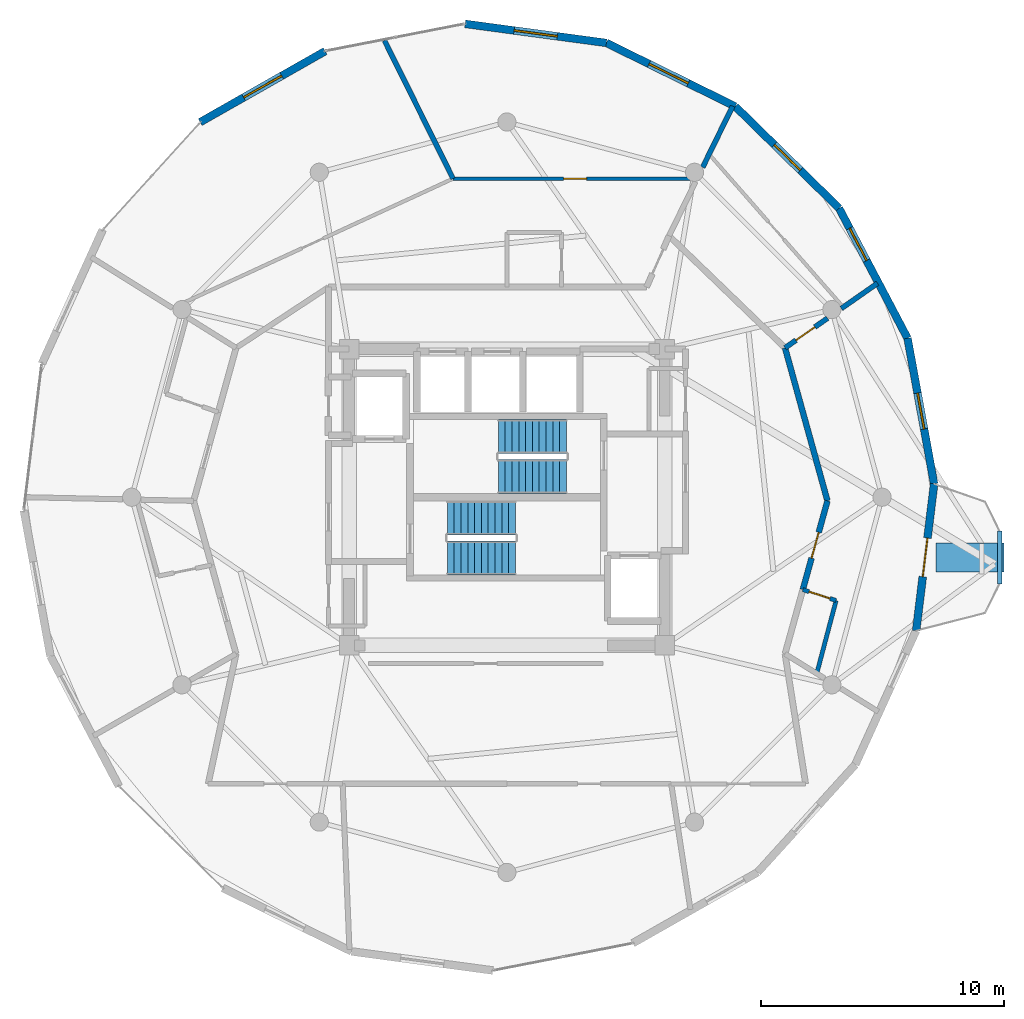
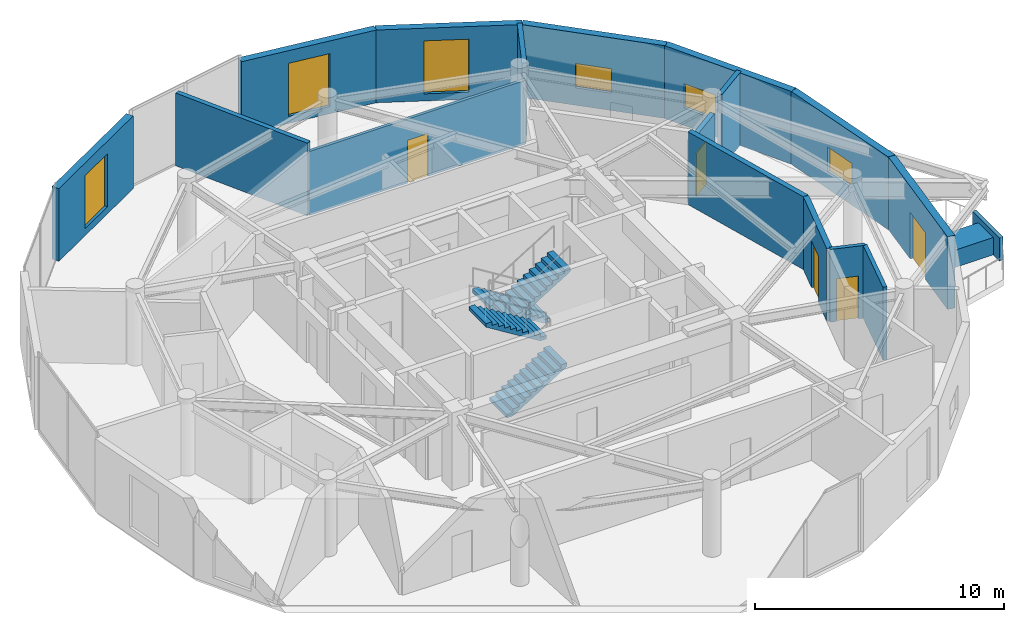
# One storey, part 16 of 18: 17 walls, 6 windows, 5 doors, 4 stair flights, 1 discrete accessory, 11 openings, 2 elements without a shape of their own.
"""IFC4 building model written with IfcOpenShell, lengths in metres."""

from ifc_helpers import new_model, si_unit, direction, frame, frame_2d, origin, origin_2d, place, context, subcontext, project, spatial, polyline, rectangle, outline, extrude, material, layer, layer_set, type_object, element, fill, aggregate, save


model = new_model("IFC4")

# Units and contexts
model_context = context("Model", 3, precision=1e-05, world=origin(), true_north=direction((0.0, 1.0)))
body_context = subcontext(model_context, "Body", "Model", "MODEL_VIEW")
ifc_project = project(units=[si_unit("LENGTHUNIT", "METRE"), si_unit("AREAUNIT", "SQUARE_METRE"), si_unit("VOLUMEUNIT", "CUBIC_METRE"), si_unit("PLANEANGLEUNIT", "RADIAN"), si_unit("MASSUNIT", "GRAM", prefix="KILO")], contexts=[model_context])

# Site, building, storey
site_placement = place(None, origin())
site = spatial("IfcSite", under=ifc_project, at=site_placement, CompositionType="ELEMENT")
building_placement = place(site_placement, origin())
building = spatial("IfcBuilding", under=site, at=building_placement, Name="Solvirekh Grand Hotel", CompositionType="ELEMENT")
storey_placement = place(building_placement, frame((0.0, 0.0, 274.39990234375)))
storey = spatial("IfcBuildingStorey", under=building, at=storey_placement, Name="L71", CompositionType="ELEMENT", Elevation=274.39990234375)

# Wall, opening, door
ifc_material_1 = material(Name="Precast concrete C45/55", Category="concrete")
ifc_layer_1 = layer(ifc_material_1, 0.320068359375)
ifc_layer_set_1 = layer_set([ifc_layer_1], Name="Precast concrete C45/55")
wall_type_1 = type_object("IfcWallType", Name="ExtLobbyWall_RC320", PredefinedType="SOLIDWALL", material=ifc_layer_set_1)
wall_1_placement = place(storey_placement, frame((17.592041015625, 0.550048828125, 0.0), z_axis=(0.0, 0.0, 1.0), x_axis=(-0.121564545791, -0.992583528579, 0.0)))
wall_1 = element("IfcWall", 1, at=wall_1_placement, inside=storey, type_object=wall_type_1, Name="L71 exterior structural wall chord 5", PredefinedType="SOLIDWALL", context=body_context, shape_type="SweptSolid", body=[
    extrude(rectangle(XDim=6.09521484375, YDim=0.320068359375, at=frame_2d((3.047607421875, 0.0))), origin(), (0.0, 0.0, 1.0), 3.570068359375),
])
opening_1_placement = place(wall_1_placement, frame((2.248046875, 0.0, 0.0)))
opening_1 = element("IfcOpeningElement", 2, at=opening_1_placement, cuts=wall_1, Name="Opening D04", PredefinedType="OPENING", context=body_context, shape_type="SweptSolid", body=[
    extrude(rectangle(XDim=1.60009765625, YDim=2.300048828125, at=frame_2d((0.800048828125, 1.14990234375))), frame((0.0, 0.169921875, 0.0), z_axis=(0.0, -1.0, 0.0), x_axis=(1.0, 0.0, 0.0)), (0.0, 0.0, 1.0), 0.340087890625),
])
ifc_material_2 = material(Name="Anodized Bronze Aluminium 6063-T6", Category="aluminium")
door_type_1 = type_object("IfcDoorType", Name="Door_ExtTerrace_1600X2300", OperationType="NOTDEFINED", PredefinedType="DOOR", material=ifc_material_2)
door_1_placement = place(opening_1_placement, origin())
door_1 = element("IfcDoor", 3, at=door_1_placement, inside=storey, type_object=door_type_1, Name="L71 East horn sky-garden terrace door (5)", OperationType="SINGLE_SWING_LEFT", OverallHeight=2.300048828125, OverallWidth=1.60009765625, PredefinedType="DOOR", context=body_context, shape_type="SweptSolid", body=[
    extrude(rectangle(XDim=1.60009765625, YDim=2.300048828125, at=frame_2d((0.800048828125, 1.14990234375))), frame((0.0, 0.02490234375, 0.0), z_axis=(0.0, -1.0, 0.0), x_axis=(1.0, 0.0, 0.0)), (0.0, 0.0, 1.0), 0.050048828125),
])
fill(opening_1, door_1)

# Wall, opening, window
wall_2_placement = place(storey_placement, frame((16.498046875, 6.5458984375, 0.0), z_axis=(0.0, 0.0, 1.0), x_axis=(0.179495230974, -0.983758843446, 0.0)))
wall_2 = element("IfcWall", 4, at=wall_2_placement, inside=storey, type_object=wall_type_1, Name="L71 cantilevered deck support wall chord 6", PredefinedType="SOLIDWALL", context=body_context, shape_type="SweptSolid", body=[
    extrude(rectangle(XDim=6.0947265625, YDim=0.320068359375, at=frame_2d((3.04736328125, 0.0))), origin(), (0.0, 0.0, 1.0), 3.570068359375),
])
opening_2_placement = place(wall_2_placement, frame((2.297119140625, 0.0, 0.85009765625)))
opening_2 = element("IfcOpeningElement", 5, at=opening_2_placement, cuts=wall_2, Name="Opening W05", PredefinedType="OPENING", context=body_context, shape_type="SweptSolid", body=[
    extrude(rectangle(XDim=1.5, YDim=1.199951171875, at=frame_2d((0.75, 0.60009765625))), frame((0.0, 0.169921875, 0.0), z_axis=(0.0, -1.0, 0.0), x_axis=(1.0, 0.0, 0.0)), (0.0, 0.0, 1.0), 0.340087890625),
])
ifc_material_3 = material(Name="Low-E Tinted Bronze Laminated Glass", Category="aluminium")
window_type_1 = type_object("IfcWindowType", Name="Win_PlantVent_1500X1200", PartitioningType="SINGLE_PANEL", PredefinedType="WINDOW", material=ifc_material_3)
window_1_placement = place(opening_2_placement, origin())
window_1 = element("IfcWindow", 6, at=window_1_placement, inside=storey, type_object=window_type_1, Name="L71 bronze-framed vision ribbon window 6", OverallHeight=1.199951171875, OverallWidth=1.5, PartitioningType="SINGLE_PANEL", PredefinedType="WINDOW", context=body_context, shape_type="SweptSolid", body=[
    extrude(rectangle(XDim=1.5, YDim=1.199951171875, at=frame_2d((0.75, 0.60009765625))), frame((0.0, 0.030029296875, 0.0), z_axis=(0.0, -1.0, 0.0), x_axis=(1.0, 0.0, 0.0)), (0.0, 0.0, 1.0), 0.06005859375),
])
fill(opening_2, window_1)

wall_3_placement = place(storey_placement, frame((13.677001953125, 11.902099609375, 0.0), z_axis=(0.0, 0.0, 1.0), x_axis=(0.466004047649, -0.884782587744, 0.0)))
wall_3 = element("IfcWall", 7, at=wall_3_placement, inside=storey, type_object=wall_type_1, Name="L71 cantilevered deck support wall chord 7", PredefinedType="SOLIDWALL", context=body_context, shape_type="SweptSolid", body=[
    extrude(rectangle(XDim=6.0537109375, YDim=0.320068359375, at=frame_2d((3.02685546875, 0.0))), origin(), (0.0, 0.0, 1.0), 3.570068359375),
])
opening_3_placement = place(wall_3_placement, frame((0.93701171875, 0.0, 0.85009765625)))
opening_3 = element("IfcOpeningElement", 8, at=opening_3_placement, cuts=wall_3, Name="Opening W05", PredefinedType="OPENING", context=body_context, shape_type="SweptSolid", body=[
    extrude(rectangle(XDim=1.5, YDim=1.199951171875, at=frame_2d((0.75, 0.60009765625))), frame((0.0, 0.169921875, 0.0), z_axis=(0.0, -1.0, 0.0), x_axis=(1.0, 0.0, 0.0)), (0.0, 0.0, 1.0), 0.340087890625),
])
window_2_placement = place(opening_3_placement, origin())
window_2 = element("IfcWindow", 9, at=window_2_placement, inside=storey, type_object=window_type_1, Name="L71 bronze-framed vision ribbon window 7", OverallHeight=1.199951171875, OverallWidth=1.5, PartitioningType="SINGLE_PANEL", PredefinedType="WINDOW", context=body_context, shape_type="SweptSolid", body=[
    extrude(rectangle(XDim=1.5, YDim=1.199951171875, at=frame_2d((0.75, 0.60009765625))), frame((0.0, 0.030029296875, 0.0), z_axis=(0.0, -1.0, 0.0), x_axis=(1.0, 0.0, 0.0)), (0.0, 0.0, 1.0), 0.06005859375),
])
fill(opening_3, window_2)

wall_4_placement = place(storey_placement, frame((9.404052734375, 16.092041015625, 0.0), z_axis=(0.0, 0.0, 1.0), x_axis=(0.714008055463, -0.700137484165, 0.0)))
wall_4 = element("IfcWall", 10, at=wall_4_placement, inside=storey, type_object=wall_type_1, Name="L71 cantilevered deck support wall chord 8", PredefinedType="SOLIDWALL", context=body_context, shape_type="SweptSolid", body=[
    extrude(rectangle(XDim=5.984375, YDim=0.320068359375, at=frame_2d((2.9921875, 0.0))), origin(), (0.0, 0.0, 1.0), 3.570068359375),
])
opening_4_placement = place(wall_4_placement, frame((2.2509765625, 0.0, 0.85009765625)))
opening_4 = element("IfcOpeningElement", 11, at=opening_4_placement, cuts=wall_4, Name="Opening W05", PredefinedType="OPENING", context=body_context, shape_type="SweptSolid", body=[
    extrude(rectangle(XDim=1.5, YDim=1.199951171875, at=frame_2d((0.75, 0.60009765625))), frame((0.0, 0.169921875, 0.0), z_axis=(0.0, -1.0, 0.0), x_axis=(1.0, 0.0, 0.0)), (0.0, 0.0, 1.0), 0.340087890625),
])
window_3_placement = place(opening_4_placement, origin())
window_3 = element("IfcWindow", 12, at=window_3_placement, inside=storey, type_object=window_type_1, Name="L71 bronze-framed vision ribbon window 8", OverallHeight=1.199951171875, OverallWidth=1.5, PartitioningType="SINGLE_PANEL", PredefinedType="WINDOW", context=body_context, shape_type="SweptSolid", body=[
    extrude(rectangle(XDim=1.5, YDim=1.199951171875, at=frame_2d((0.75, 0.60009765625))), frame((0.0, 0.030029296875, 0.0), z_axis=(0.0, -1.0, 0.0), x_axis=(1.0, 0.0, 0.0)), (0.0, 0.0, 1.0), 0.06005859375),
])
fill(opening_4, window_3)

wall_5_placement = place(storey_placement, frame((4.097900390625, 18.70703125, 0.0), z_axis=(0.0, 0.0, 1.0), x_axis=(0.896987681867, -0.442055537889, 0.0)))
wall_5 = element("IfcWall", 13, at=wall_5_placement, inside=storey, type_object=wall_type_1, Name="L71 exterior structural wall chord 9", PredefinedType="SOLIDWALL", context=body_context, shape_type="SweptSolid", body=[
    extrude(rectangle(XDim=5.91552734375, YDim=0.320068359375, at=frame_2d((2.957763671875, 0.0))), origin(), (0.0, 0.0, 1.0), 3.570068359375),
])
opening_5_placement = place(wall_5_placement, frame((1.95703125, 0.0, 0.35009765625)))
opening_5 = element("IfcOpeningElement", 14, at=opening_5_placement, cuts=wall_5, Name="Opening W02", PredefinedType="OPENING", context=body_context, shape_type="SweptSolid", body=[
    extrude(rectangle(XDim=1.800048828125, YDim=2.60009765625, at=frame_2d((0.89990234375, 1.300048828125))), frame((0.0, 0.169921875, 0.0), z_axis=(0.0, -1.0, 0.0), x_axis=(1.0, 0.0, 0.0)), (0.0, 0.0, 1.0), 0.340087890625),
])
window_type_2 = type_object("IfcWindowType", Name="Win_LobbyExt_1800X2600", PartitioningType="SINGLE_PANEL", PredefinedType="WINDOW", material=ifc_material_3)
window_4_placement = place(opening_5_placement, origin())
window_4 = element("IfcWindow", 15, at=window_4_placement, inside=storey, type_object=window_type_2, Name="L71 panoramic bronze-framed window 9", OverallHeight=2.60009765625, OverallWidth=1.800048828125, PartitioningType="SINGLE_PANEL", PredefinedType="WINDOW", context=body_context, shape_type="SweptSolid", body=[
    extrude(rectangle(XDim=1.800048828125, YDim=2.60009765625, at=frame_2d((0.89990234375, 1.300048828125))), frame((0.0, 0.030029296875, 0.0), z_axis=(0.0, -1.0, 0.0), x_axis=(1.0, 0.0, 0.0)), (0.0, 0.0, 1.0), 0.06005859375),
])
fill(opening_5, window_4)

wall_6_placement = place(storey_placement, frame((-1.721923828125, 19.491943359375, 0.0), z_axis=(0.0, 0.0, 1.0), x_axis=(0.99102743865, -0.13365857938, 0.0)))
wall_6 = element("IfcWall", 16, at=wall_6_placement, inside=storey, type_object=wall_type_1, Name="L71 exterior structural wall chord 10", PredefinedType="SOLIDWALL", context=body_context, shape_type="SweptSolid", body=[
    extrude(rectangle(XDim=5.87255859375, YDim=0.320068359375, at=frame_2d((2.936279296875, 0.0))), origin(), (0.0, 0.0, 1.0), 3.570068359375),
])
opening_6_placement = place(wall_6_placement, frame((2.035888671875, 0.0, 0.35009765625)))
opening_6 = element("IfcOpeningElement", 17, at=opening_6_placement, cuts=wall_6, Name="Opening W02", PredefinedType="OPENING", context=body_context, shape_type="SweptSolid", body=[
    extrude(rectangle(XDim=1.800048828125, YDim=2.60009765625, at=frame_2d((0.89990234375, 1.300048828125))), frame((0.0, 0.169921875, 0.0), z_axis=(0.0, -1.0, 0.0), x_axis=(1.0, 0.0, 0.0)), (0.0, 0.0, 1.0), 0.340087890625),
])
window_5_placement = place(opening_6_placement, origin())
window_5 = element("IfcWindow", 18, at=window_5_placement, inside=storey, type_object=window_type_2, Name="L71 panoramic bronze-framed window 10", OverallHeight=2.60009765625, OverallWidth=1.800048828125, PartitioningType="SINGLE_PANEL", PredefinedType="WINDOW", context=body_context, shape_type="SweptSolid", body=[
    extrude(rectangle(XDim=1.800048828125, YDim=2.60009765625, at=frame_2d((0.89990234375, 1.300048828125))), frame((0.0, 0.030029296875, 0.0), z_axis=(0.0, -1.0, 0.0), x_axis=(1.0, 0.0, 0.0)), (0.0, 0.0, 1.0), 0.06005859375),
])
fill(opening_6, window_5)

wall_7_placement = place(storey_placement, frame((-12.62890625, 15.446044921875, 0.0), z_axis=(0.0, 0.0, 1.0), x_axis=(0.869510133523, 0.493915101714, 0.0)))
wall_7 = element("IfcWall", 19, at=wall_7_placement, inside=storey, type_object=wall_type_1, Name="L71 exterior structural wall chord 12", PredefinedType="SOLIDWALL", context=body_context, shape_type="SweptSolid", body=[
    extrude(rectangle(XDim=5.915771484375, YDim=0.320068359375, at=frame_2d((2.9580078125, 0.0))), origin(), (0.0, 0.0, 1.0), 3.570068359375),
])
opening_7_placement = place(wall_7_placement, frame((2.05810546875, 0.0, 0.35009765625)))
opening_7 = element("IfcOpeningElement", 20, at=opening_7_placement, cuts=wall_7, Name="Opening W02", PredefinedType="OPENING", context=body_context, shape_type="SweptSolid", body=[
    extrude(rectangle(XDim=1.800048828125, YDim=2.60009765625, at=frame_2d((0.89990234375, 1.300048828125))), frame((0.0, 0.169921875, 0.0), z_axis=(0.0, -1.0, 0.0), x_axis=(1.0, 0.0, 0.0)), (0.0, 0.0, 1.0), 0.340087890625),
])
window_6_placement = place(opening_7_placement, origin())
window_6 = element("IfcWindow", 21, at=window_6_placement, inside=storey, type_object=window_type_2, Name="L71 panoramic bronze-framed window 12", OverallHeight=2.60009765625, OverallWidth=1.800048828125, PartitioningType="SINGLE_PANEL", PredefinedType="WINDOW", context=body_context, shape_type="SweptSolid", body=[
    extrude(rectangle(XDim=1.800048828125, YDim=2.60009765625, at=frame_2d((0.89990234375, 1.300048828125))), frame((0.0, 0.030029296875, 0.0), z_axis=(0.0, -1.0, 0.0), x_axis=(1.0, 0.0, 0.0)), (0.0, 0.0, 1.0), 0.06005859375),
])
fill(opening_7, window_6)

# Walls
ifc_layer_2 = layer(ifc_material_1, 0.179931640625)
ifc_layer_set_2 = layer_set([ifc_layer_2], Name="Precast concrete C45/55")
wall_type_2 = type_object("IfcWallType", Name="ExtPlanterWall_180", PredefinedType="PARAPET", material=ifc_layer_set_2)
wall_8_placement = place(storey_placement, frame((20.2919921875, -3.56396484375, 0.0), z_axis=(0.0, 0.0, 1.0), x_axis=(0.0, 1.0, 0.0)))
element("IfcWall", 22, at=wall_8_placement, inside=storey, type_object=wall_type_2, Name="L71 horn sky-garden planter parapet", PredefinedType="PARAPET", context=body_context, shape_type="SweptSolid", body=[
    extrude(rectangle(XDim=2.177978515625, YDim=0.179931640625, at=frame_2d((1.0888671875, 0.0))), origin(), (0.0, 0.0, 1.0), 1.1201171875),
])
ifc_material_4 = material(Name="Acoustic Gypsum Partition Assembly")
ifc_layer_3 = layer(ifc_material_4, 0.239990234375)
ifc_layer_set_3 = layer_set([ifc_layer_3], Name="Acoustic Gypsum Partition Assembly")
wall_type_3 = type_object("IfcWallType", Name="Part_Corridor_240", PredefinedType="PARTITIONING", material=ifc_layer_set_3)
wall_9_placement = place(storey_placement, frame((13.199951171875, -0.14990234375, 0.0), z_axis=(0.0, 0.0, 1.0), x_axis=(-0.267374214985, 0.963592771435, 0.0)))
element("IfcWall", 23, at=wall_9_placement, inside=storey, type_object=wall_type_3, Name="L71 Diplomatic Suite 7304 Living Room corridor wall 1", PredefinedType="PARTITIONING", context=body_context, shape_type="SweptSolid", body=[
    extrude(rectangle(XDim=6.537841796875, YDim=0.239990234375, at=frame_2d((3.26904296875, 0.0))), origin(), (0.0, 0.0, 1.0), 3.570068359375),
])

# Wall, opening, door
wall_10_placement = place(storey_placement, frame((12.18603515625, -3.803955078125, 0.0), z_axis=(0.0, 0.0, 1.0), x_axis=(0.267374891444, 0.963592583733, 0.0)))
wall_10 = element("IfcWall", 24, at=wall_10_placement, inside=storey, type_object=wall_type_3, Name="L71 Diplomatic Suite 7304 Living Room entrance wall", PredefinedType="PARTITIONING", context=body_context, shape_type="SweptSolid", body=[
    extrude(rectangle(XDim=3.7919921875, YDim=0.239990234375, at=frame_2d((1.89599609375, 0.0))), origin(), (0.0, 0.0, 1.0), 3.570068359375),
])
opening_8_placement = place(wall_10_placement, frame((1.345947265625, 0.0, 0.0)))
opening_8 = element("IfcOpeningElement", 25, at=opening_8_placement, cuts=wall_10, Name="Opening D08", PredefinedType="OPENING", context=body_context, shape_type="SweptSolid", body=[
    extrude(rectangle(XDim=1.10009765625, YDim=2.300048828125, at=frame_2d((0.550048828125, 1.14990234375))), frame((0.0, 0.1298828125, 0.0), z_axis=(0.0, -1.0, 0.0), x_axis=(1.0, 0.0, 0.0)), (0.0, 0.0, 1.0), 0.260009765625),
])
ifc_material_5 = material(Name="Fire-Rated Steel Door Assembly", Category="steel")
door_type_2 = type_object("IfcDoorType", Name="Door_SuiteEntry_1100X2300", OperationType="NOTDEFINED", PredefinedType="DOOR", material=ifc_material_5)
door_2_placement = place(opening_8_placement, origin())
door_2 = element("IfcDoor", 26, at=door_2_placement, inside=storey, type_object=door_type_2, Name="L71 Diplomatic Suite 7304 Living Room entrance door", OperationType="SINGLE_SWING_LEFT", OverallHeight=2.300048828125, OverallWidth=1.10009765625, PredefinedType="DOOR", context=body_context, shape_type="SweptSolid", body=[
    extrude(rectangle(XDim=1.10009765625, YDim=2.300048828125, at=frame_2d((0.550048828125, 1.14990234375))), frame((0.0, 0.02490234375, 0.0), z_axis=(0.0, -1.0, 0.0), x_axis=(1.0, 0.0, 0.0)), (0.0, 0.0, 1.0), 0.050048828125),
])
fill(opening_8, door_2)

ifc_layer_4 = layer(ifc_material_4, 0.135009765625)
ifc_layer_set_4 = layer_set([ifc_layer_4], Name="Acoustic Gypsum Partition Assembly")
wall_type_4 = type_object("IfcWallType", Name="Part_RoomInt_135", PredefinedType="PARTITIONING", material=ifc_layer_set_4)
wall_11_placement = place(storey_placement, frame((-2.217041015625, 13.117919921875, 0.0), z_axis=(0.0, 0.0, 1.0), x_axis=(0.999999768435, -0.000680536494, 0.0)))
wall_11 = element("IfcWall", 27, at=wall_11_placement, inside=storey, type_object=wall_type_4, Name="L71 Panorama Suite 7301 North Sitting Room bedroom screen wall", PredefinedType="PARTITIONING", context=body_context, shape_type="SweptSolid", body=[
    extrude(rectangle(XDim=10.044921875, YDim=0.135009765625, at=frame_2d((5.0224609375, 0.0))), origin(), (0.0, 0.0, 1.0), 3.13818359375),
])
opening_9_placement = place(wall_11_placement, frame((4.548095703125, 0.0, 0.0)))
opening_9 = element("IfcOpeningElement", 28, at=opening_9_placement, cuts=wall_11, Name="Opening D10", PredefinedType="OPENING", context=body_context, shape_type="SweptSolid", body=[
    extrude(rectangle(XDim=0.949951171875, YDim=2.10009765625, at=frame_2d((0.47509765625, 1.050048828125))), frame((0.0, 0.07763671875, 0.0), z_axis=(0.0, -1.0, 0.0), x_axis=(1.0, 0.0, 0.0)), (0.0, 0.0, 1.0), 0.155029296875),
])
door_type_3 = type_object("IfcDoorType", Name="Door_RoomInt_950X2100", OperationType="NOTDEFINED", PredefinedType="DOOR", material=ifc_material_2)
door_3_placement = place(opening_9_placement, origin())
door_3 = element("IfcDoor", 29, at=door_3_placement, inside=storey, type_object=door_type_3, Name="L71 Panorama Suite 7301 North Sitting Room master bedroom door", OperationType="SINGLE_SWING_RIGHT", OverallHeight=2.10009765625, OverallWidth=0.949951171875, PredefinedType="DOOR", context=body_context, shape_type="SweptSolid", body=[
    extrude(rectangle(XDim=0.949951171875, YDim=2.10009765625, at=frame_2d((0.47509765625, 1.050048828125))), frame((0.0, 0.02490234375, 0.0), z_axis=(0.0, -1.0, 0.0), x_axis=(1.0, 0.0, 0.0)), (0.0, 0.0, 1.0), 0.050048828125),
])
fill(opening_9, door_3)

ifc_layer_5 = layer(ifc_material_4, 0.2099609375)
ifc_layer_set_5 = layer_set([ifc_layer_5], Name="Acoustic Gypsum Partition Assembly")
wall_type_5 = type_object("IfcWallType", Name="Part_SuiteDemise_210", PredefinedType="PARTITIONING", material=ifc_layer_set_5)
wall_12_placement = place(storey_placement, frame((11.451904296875, 6.14990234375, 0.0), z_axis=(0.0, 0.0, 1.0), x_axis=(0.819854753172, 0.572571553346, 0.0)))
wall_12 = element("IfcWall", 30, at=wall_12_placement, inside=storey, type_object=wall_type_5, Name="L71 suite radial wall 2 (A)", PredefinedType="PARTITIONING", context=body_context, shape_type="SweptSolid", body=[
    extrude(rectangle(XDim=2.134521484375, YDim=0.2099609375, at=frame_2d((1.0673828125, 0.0))), origin(), (0.0, 0.0, 1.0), 3.086181640625),
])
opening_10_placement = place(wall_12_placement, frame((0.550048828125, 0.0, 0.0)))
opening_10 = element("IfcOpeningElement", 31, at=opening_10_placement, cuts=wall_12, Name="Opening D10", PredefinedType="OPENING", context=body_context, shape_type="SweptSolid", body=[
    extrude(rectangle(XDim=0.949951171875, YDim=2.10009765625, at=frame_2d((0.47509765625, 1.050048828125))), frame((0.0, 0.114990234375, 0.0), z_axis=(0.0, -1.0, 0.0), x_axis=(1.0, 0.0, 0.0)), (0.0, 0.0, 1.0), 0.22998046875),
])
door_4_placement = place(opening_10_placement, origin())
door_4 = element("IfcDoor", 32, at=door_4_placement, inside=storey, type_object=door_type_3, Name="L71 Diplomatic Suite 7304 Suite Foyer suite connecting door", OperationType="SINGLE_SWING_RIGHT", OverallHeight=2.10009765625, OverallWidth=0.949951171875, PredefinedType="DOOR", context=body_context, shape_type="SweptSolid", body=[
    extrude(rectangle(XDim=0.949951171875, YDim=2.10009765625, at=frame_2d((0.47509765625, 1.050048828125))), frame((0.0, 0.02490234375, 0.0), z_axis=(0.0, -1.0, 0.0), x_axis=(1.0, 0.0, 0.0)), (0.0, 0.0, 1.0), 0.050048828125),
])
fill(opening_10, door_4)

# Walls
wall_13_placement = place(storey_placement, frame((13.77197265625, 7.77099609375, 0.0), z_axis=(0.0, 0.0, 1.0), x_axis=(0.81989494027, 0.572514005872, 0.0)))
element("IfcWall", 33, at=wall_13_placement, inside=storey, type_object=wall_type_5, Name="L71 suite radial wall 2 (B)", PredefinedType="PARTITIONING", context=body_context, shape_type="SweptSolid", body=[
    extrude(rectangle(XDim=1.81494140625, YDim=0.2099609375, at=frame_2d((0.907470703125, 0.0))), origin(), (0.0, 0.0, 1.0), 3.570068359375),
])
wall_14_placement = place(storey_placement, frame((8.06201171875, 13.5869140625, 0.0), z_axis=(0.0, 0.0, 1.0), x_axis=(0.440576121929, 0.897715255961, 0.0)))
element("IfcWall", 34, at=wall_14_placement, inside=storey, type_object=wall_type_5, Name="L71 suite radial wall 3 (B)", PredefinedType="PARTITIONING", context=body_context, shape_type="SweptSolid", body=[
    extrude(rectangle(XDim=2.800537109375, YDim=0.2099609375, at=frame_2d((1.400390625, 0.0))), origin(), (0.0, 0.0, 1.0), 3.570068359375),
])
wall_15_placement = place(storey_placement, frame((-2.217041015625, 13.117919921875, 0.0), z_axis=(0.0, 0.0, 1.0), x_axis=(-0.444565552275, 0.895746319965, 0.0)))
element("IfcWall", 35, at=wall_15_placement, inside=storey, type_object=wall_type_5, Name="L71 Panorama Suite 7301 North Sitting Room dividing partition 1", PredefinedType="PARTITIONING", context=body_context, shape_type="SweptSolid", body=[
    extrude(rectangle(XDim=6.347900390625, YDim=0.2099609375, at=frame_2d((3.173828125, 0.0))), origin(), (0.0, 0.0, 1.0), 3.570068359375),
])
ifc_layer_6 = layer(ifc_material_4, 0.175048828125)
ifc_layer_set_6 = layer_set([ifc_layer_6], Name="Acoustic Gypsum Partition Assembly")
wall_type_6 = type_object("IfcWallType", Name="Plumb_Ensuite_175", PredefinedType="PLUMBINGWALL", material=ifc_layer_set_6)
wall_16_placement = place(storey_placement, frame((12.759033203125, -7.260009765625, 0.0), z_axis=(0.0, 0.0, 1.0), x_axis=(0.256080164753, 0.966655548383, 0.0)))
element("IfcWall", 36, at=wall_16_placement, inside=storey, type_object=wall_type_6, Name="L71 En-suite Bathroom 7304 outer plumbing wall", PredefinedType="PLUMBINGWALL", context=body_context, shape_type="SweptSolid", body=[
    extrude(rectangle(XDim=3.11181640625, YDim=0.175048828125, at=frame_2d((1.555908203125, 0.0))), origin(), (0.0, 0.0, 1.0), 3.570068359375),
])

# Wall, opening, door
wall_17_placement = place(storey_placement, frame((12.18603515625, -3.803955078125, 0.0), z_axis=(0.0, 0.0, 1.0), x_axis=(0.950463569657, -0.310835974037, 0.0)))
wall_17 = element("IfcWall", 37, at=wall_17_placement, inside=storey, type_object=wall_type_6, Name="L71 En-suite Bathroom 7304 entry plumbing wall", PredefinedType="PLUMBINGWALL", context=body_context, shape_type="SweptSolid", body=[
    extrude(rectangle(XDim=1.441162109375, YDim=0.175048828125, at=frame_2d((0.720703125, 0.0))), origin(), (0.0, 0.0, 1.0), 3.570068359375),
])
opening_11_placement = place(wall_17_placement, frame((0.27099609375, 0.0, 0.0)))
opening_11 = element("IfcOpeningElement", 38, at=opening_11_placement, cuts=wall_17, Name="Opening D09", PredefinedType="OPENING", context=body_context, shape_type="SweptSolid", body=[
    extrude(rectangle(XDim=0.89990234375, YDim=2.10009765625, at=frame_2d((0.449951171875, 1.050048828125))), frame((0.0, 0.09765625, 0.0), z_axis=(0.0, -1.0, 0.0), x_axis=(1.0, 0.0, 0.0)), (0.0, 0.0, 1.0), 0.195068359375),
])
door_type_4 = type_object("IfcDoorType", Name="Door_Ensuite_900X2100", OperationType="NOTDEFINED", PredefinedType="DOOR", material=ifc_material_2)
door_5_placement = place(opening_11_placement, origin())
door_5 = element("IfcDoor", 39, at=door_5_placement, inside=storey, type_object=door_type_4, Name="L71 En-suite Bathroom 7304 door", OperationType="SINGLE_SWING_RIGHT", OverallHeight=2.10009765625, OverallWidth=0.89990234375, PredefinedType="DOOR", context=body_context, shape_type="SweptSolid", body=[
    extrude(rectangle(XDim=0.89990234375, YDim=2.10009765625, at=frame_2d((0.449951171875, 1.050048828125))), frame((0.0, 0.02490234375, 0.0), z_axis=(0.0, -1.0, 0.0), x_axis=(1.0, 0.0, 0.0)), (0.0, 0.0, 1.0), 0.050048828125),
])
fill(opening_11, door_5)

# Stair, stair flights
ifc_material_6 = material(Name="Concrete C40/50", Category="concrete")
stair_type = type_object("IfcStairType", Name="Stair_Core_1450", PredefinedType="HALF_TURN_STAIR", material=ifc_material_6)
stair_1_placement = place(storey_placement, origin())
stair_1 = element("IfcStair", 40, at=stair_1_placement, inside=storey, type_object=stair_type, Name="L71 Enclosed exit stair ST-1", PredefinedType="HALF_TURN_STAIR")
stair_flight_type = type_object("IfcStairFlightType", Name="Flight_Core_1450", PredefinedType="STRAIGHT", material=ifc_material_6)
stair_flight_1_placement = place(storey_placement, frame((-2.449951171875, -2.5, 0.0), z_axis=(0.0, 0.0, 1.0), x_axis=(1.0, 0.0, 0.0)))
stair_flight_1 = element("IfcStairFlight", 41, at=stair_flight_1_placement, type_object=stair_flight_type, Name="ST-1 flight 1", NumberOfRisers=11, NumberOfTreads=10, PredefinedType="STRAIGHT", RiserHeight=0.172727273, TreadLength=0.28, context=body_context, shape_type="SweptSolid", body=[
    extrude(outline(polyline([(0.0, 0.0), (0.0, 0.172607421875), (0.280029296875, 0.172607421875), (0.280029296875, 0.345458984375), (0.56005859375, 0.345458984375), (0.56005859375, 0.51806640625), (0.840087890625, 0.51806640625), (0.840087890625, 0.69091796875), (1.1201171875, 0.69091796875), (1.1201171875, 0.863525390625), (1.39990234375, 0.863525390625), (1.39990234375, 1.036376953125), (1.679931640625, 1.036376953125), (1.679931640625, 1.208984375), (1.9599609375, 1.208984375), (1.9599609375, 1.3818359375), (2.239990234375, 1.3818359375), (2.239990234375, 1.554443359375), (2.52001953125, 1.554443359375), (2.52001953125, 1.727294921875), (2.800048828125, 1.727294921875), (2.800048828125, 1.89990234375), (2.800048828125, 1.551025390625), (0.285400390625, 0.0), (0.0, 0.0)])), frame((0.0, 0.699951171875, 0.0), z_axis=(0.0, -1.0, 0.0), x_axis=(1.0, 0.0, 0.0)), (0.0, 0.0, 1.0), 1.39990234375),
])
stair_flight_2_placement = place(storey_placement, frame((0.35009765625, -0.85009765625, 1.900146484375), z_axis=(0.0, 0.0, 1.0), x_axis=(-1.0, 0.0, 0.0)))
stair_flight_2 = element("IfcStairFlight", 42, at=stair_flight_2_placement, type_object=stair_flight_type, Name="ST-1 flight 2", NumberOfRisers=11, NumberOfTreads=10, PredefinedType="STRAIGHT", RiserHeight=0.172727273, TreadLength=0.28, context=body_context, shape_type="SweptSolid", body=[
    extrude(outline(polyline([(0.0, 0.0), (0.0, 0.172607421875), (0.280029296875, 0.172607421875), (0.280029296875, 0.345458984375), (0.56005859375, 0.345458984375), (0.56005859375, 0.51806640625), (0.840087890625, 0.51806640625), (0.840087890625, 0.69091796875), (1.1201171875, 0.69091796875), (1.1201171875, 0.863525390625), (1.39990234375, 0.863525390625), (1.39990234375, 1.036376953125), (1.679931640625, 1.036376953125), (1.679931640625, 1.208984375), (1.9599609375, 1.208984375), (1.9599609375, 1.3818359375), (2.239990234375, 1.3818359375), (2.239990234375, 1.554443359375), (2.52001953125, 1.554443359375), (2.52001953125, 1.727294921875), (2.800048828125, 1.727294921875), (2.800048828125, 1.89990234375), (2.800048828125, 1.551025390625), (0.285400390625, 0.0), (0.0, 0.0)])), frame((0.0, 0.699951171875, 0.0), z_axis=(0.0, -1.0, 0.0), x_axis=(1.0, 0.0, 0.0)), (0.0, 0.0, 1.0), 1.39990234375),
])
aggregate(stair_1, [stair_flight_1, stair_flight_2])

stair_2_placement = place(storey_placement, origin())
stair_2 = element("IfcStair", 43, at=stair_2_placement, inside=storey, type_object=stair_type, Name="L71 Enclosed exit stair ST-2", PredefinedType="HALF_TURN_STAIR")
stair_flight_3_placement = place(storey_placement, frame((2.449951171875, 2.5, 0.0), z_axis=(0.0, 0.0, 1.0), x_axis=(-1.0, 0.0, 0.0)))
stair_flight_3 = element("IfcStairFlight", 44, at=stair_flight_3_placement, type_object=stair_flight_type, Name="ST-2 flight 1", NumberOfRisers=11, NumberOfTreads=10, PredefinedType="STRAIGHT", RiserHeight=0.172727273, TreadLength=0.28, context=body_context, shape_type="SweptSolid", body=[
    extrude(outline(polyline([(0.0, 0.0), (0.0, 0.172607421875), (0.280029296875, 0.172607421875), (0.280029296875, 0.345458984375), (0.56005859375, 0.345458984375), (0.56005859375, 0.51806640625), (0.840087890625, 0.51806640625), (0.840087890625, 0.69091796875), (1.1201171875, 0.69091796875), (1.1201171875, 0.863525390625), (1.39990234375, 0.863525390625), (1.39990234375, 1.036376953125), (1.679931640625, 1.036376953125), (1.679931640625, 1.208984375), (1.9599609375, 1.208984375), (1.9599609375, 1.3818359375), (2.239990234375, 1.3818359375), (2.239990234375, 1.554443359375), (2.52001953125, 1.554443359375), (2.52001953125, 1.727294921875), (2.800048828125, 1.727294921875), (2.800048828125, 1.89990234375), (2.800048828125, 1.551025390625), (0.285400390625, 0.0), (0.0, 0.0)])), frame((0.0, 0.699951171875, 0.0), z_axis=(0.0, -1.0, 0.0), x_axis=(1.0, 0.0, 0.0)), (0.0, 0.0, 1.0), 1.39990234375),
])
stair_flight_4_placement = place(storey_placement, frame((-0.35009765625, 0.85009765625, 1.900146484375), z_axis=(0.0, 0.0, 1.0), x_axis=(1.0, 0.0, 0.0)))
stair_flight_4 = element("IfcStairFlight", 45, at=stair_flight_4_placement, type_object=stair_flight_type, Name="ST-2 flight 2", NumberOfRisers=11, NumberOfTreads=10, PredefinedType="STRAIGHT", RiserHeight=0.172727273, TreadLength=0.28, context=body_context, shape_type="SweptSolid", body=[
    extrude(outline(polyline([(0.0, 0.0), (0.0, 0.172607421875), (0.280029296875, 0.172607421875), (0.280029296875, 0.345458984375), (0.56005859375, 0.345458984375), (0.56005859375, 0.51806640625), (0.840087890625, 0.51806640625), (0.840087890625, 0.69091796875), (1.1201171875, 0.69091796875), (1.1201171875, 0.863525390625), (1.39990234375, 0.863525390625), (1.39990234375, 1.036376953125), (1.679931640625, 1.036376953125), (1.679931640625, 1.208984375), (1.9599609375, 1.208984375), (1.9599609375, 1.3818359375), (2.239990234375, 1.3818359375), (2.239990234375, 1.554443359375), (2.52001953125, 1.554443359375), (2.52001953125, 1.727294921875), (2.800048828125, 1.727294921875), (2.800048828125, 1.89990234375), (2.800048828125, 1.551025390625), (0.285400390625, 0.0), (0.0, 0.0)])), frame((0.0, 0.699951171875, 0.0), z_axis=(0.0, -1.0, 0.0), x_axis=(1.0, 0.0, 0.0)), (0.0, 0.0, 1.0), 1.39990234375),
])
aggregate(stair_2, [stair_flight_3, stair_flight_4])

# Discrete accessory
discrete_accessory_type = type_object("IfcDiscreteAccessoryType", Name="Acc_PlanterBox", PredefinedType="USERDEFINED", material=ifc_material_1)
discrete_accessory_placement = place(storey_placement, frame((19.069091796875, -2.47509765625, 0.0), z_axis=(0.0, 0.0, 1.0), x_axis=(0.0, 1.0, 0.0)))
element("IfcDiscreteAccessory", 46, at=discrete_accessory_placement, inside=storey, type_object=discrete_accessory_type, Name="L71 horn sky-garden tree planter", ObjectType="PLANTER", PredefinedType="USERDEFINED", context=body_context, shape_type="SweptSolid", body=[
    extrude(rectangle(XDim=1.199951171875, YDim=2.800048828125, at=origin_2d()), origin(), (0.0, 0.0, 1.0), 0.85009765625),
])

save(model, "model.ifc")
